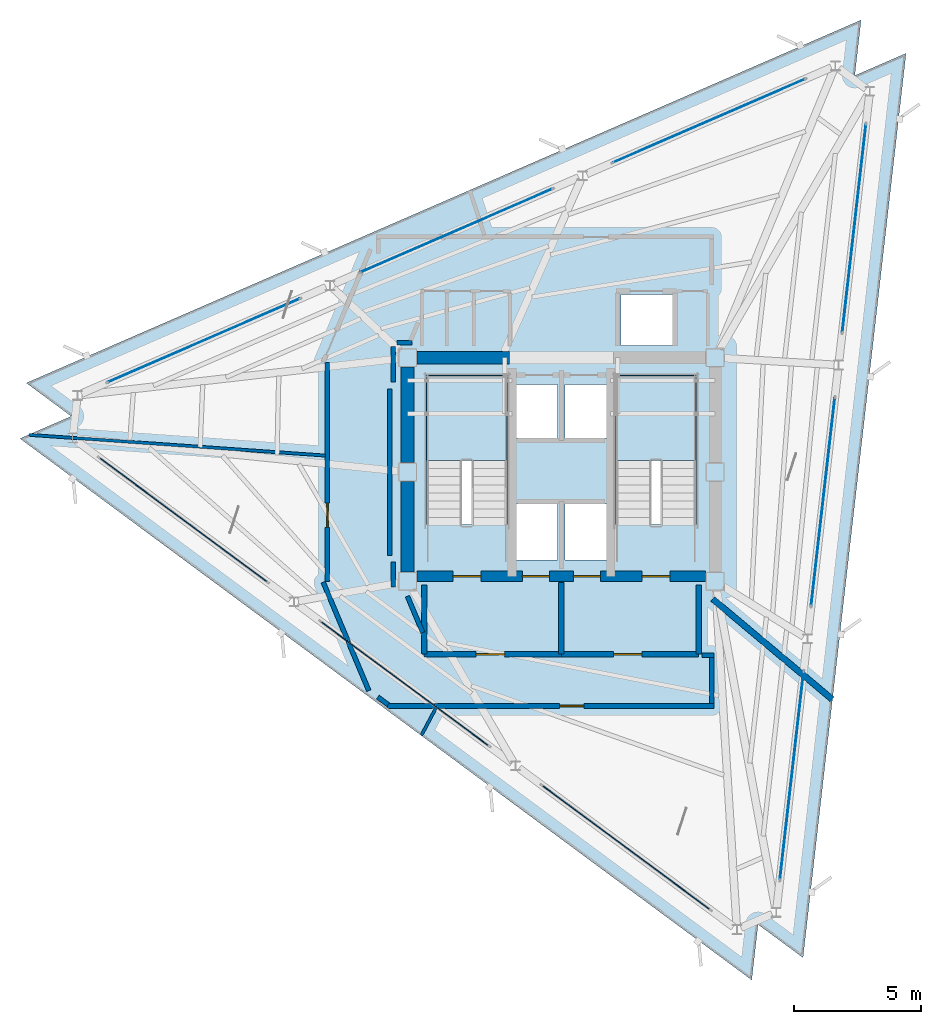
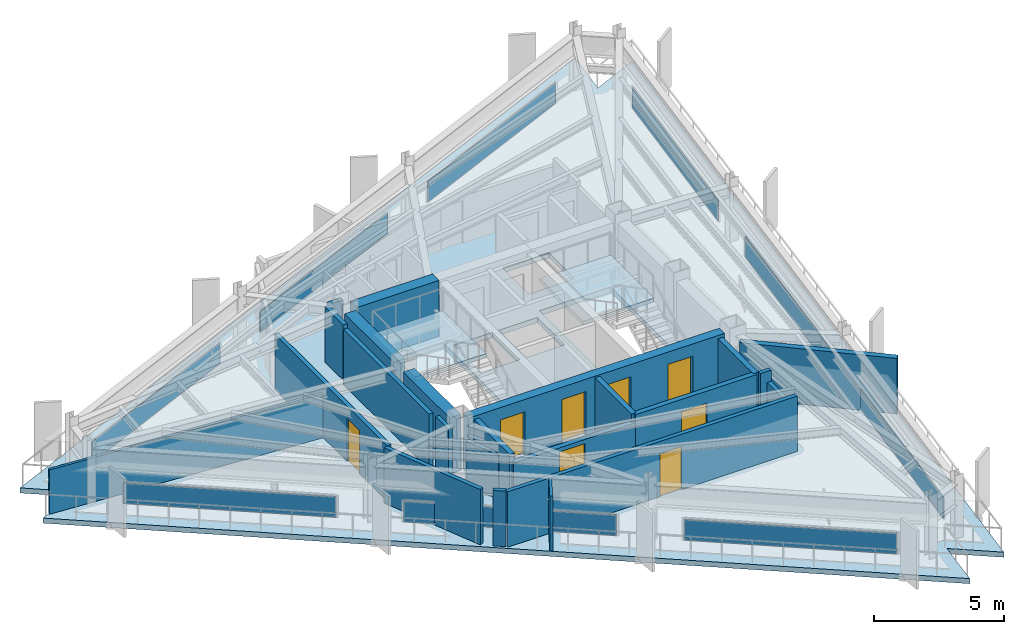
# One storey, part 5 of 9: 23 walls, 9 plates, 8 doors, 3 slabs, 8 openings, 11 elements without a shape of their own.
"""IFC4 building model written with IfcOpenShell, lengths in metres."""

from ifc_helpers import new_model, si_unit, direction, frame, frame_2d, origin, origin_2d, place, context, subcontext, project, spatial, polyline, rectangle, outline, extrude, material, layer, layer_set, type_object, element, fill, aggregate, save


model = new_model("IFC4")

# Units and contexts
model_context = context("Model", 3, precision=1e-05, world=origin(), true_north=direction((0.0, 1.0)))
body_context = subcontext(model_context, "Body", "Model", "MODEL_VIEW")
ifc_project = project(units=[si_unit("LENGTHUNIT", "METRE"), si_unit("AREAUNIT", "SQUARE_METRE"), si_unit("VOLUMEUNIT", "CUBIC_METRE"), si_unit("PLANEANGLEUNIT", "RADIAN"), si_unit("MASSUNIT", "GRAM", prefix="KILO")], contexts=[model_context])

# Site, building, storey
site_placement = place(None, origin())
site = spatial("IfcSite", under=ifc_project, at=site_placement, CompositionType="ELEMENT")
building_placement = place(site_placement, origin())
building = spatial("IfcBuilding", under=site, at=building_placement, Name="Rocaltana Carrier Exchange", CompositionType="ELEMENT")
storey_placement = place(building_placement, frame((0.0, 0.0, 236.159912109375)))
storey = spatial("IfcBuildingStorey", under=building, at=storey_placement, Name="L75", CompositionType="ELEMENT", Elevation=236.159912109375)

# Curtain wall, plate
ifc_material_1 = material(Name="Aluminium 6063-T6", Category="aluminium")
ifc_layer_1 = layer(ifc_material_1, 0.1201171875)
ifc_layer_set_1 = layer_set([ifc_layer_1], Name="Aluminium 6063-T6")
curtain_wall_type = type_object("IfcCurtainWallType", Name="High-Altitude Thermal Curtain Wall CW-05", PredefinedType="NOTDEFINED", material=ifc_layer_set_1)
curtain_wall_1_placement = place(storey_placement, origin())
curtain_wall_1 = element("IfcCurtainWall", 1, at=curtain_wall_1_placement, inside=storey, type_object=curtain_wall_type, Name="L75 CW-05 Run CW-L75-F1S1", PredefinedType="NOTDEFINED")
ifc_material_2 = material(Name="Tempered Laminated Glass", Category="glass")
ifc_layer_2 = layer(ifc_material_2, 0.035888671875)
ifc_layer_set_2 = layer_set([ifc_layer_2], Name="Tempered Laminated Glass")
plate_type = type_object("IfcPlateType", Name="CW-05 Stone-Insulated Vision Panel", PredefinedType="CURTAIN_PANEL", material=ifc_layer_set_2)
plate_1_placement = place(storey_placement, frame((9.061767578125, -11.935791015625, 0.06005859375), z_axis=(0.0, 0.0, 1.0), x_axis=(0.113208822277, 0.993571216652, 0.0)))
plate_1 = element("IfcPlate", 2, at=plate_1_placement, type_object=plate_type, Name="CW-05 panel 1.1", PredefinedType="CURTAIN_PANEL", context=body_context, shape_type="SweptSolid", body=[
    extrude(rectangle(XDim=8.21337890625, YDim=0.035888671875, at=origin_2d()), origin(), (0.0, 0.0, 1.0), 0.9580078125),
])
aggregate(curtain_wall_1, [plate_1])

curtain_wall_2_placement = place(storey_placement, origin())
curtain_wall_2 = element("IfcCurtainWall", 3, at=curtain_wall_2_placement, inside=storey, type_object=curtain_wall_type, Name="L75 CW-05 Run CW-L75-F1S2", PredefinedType="NOTDEFINED")
plate_2_placement = place(storey_placement, frame((10.2880859375, -1.172119140625, 0.06005859375), z_axis=(0.0, 0.0, 1.0), x_axis=(0.113208822277, 0.993571216652, 0.0)))
plate_2 = element("IfcPlate", 4, at=plate_2_placement, type_object=plate_type, Name="CW-05 panel 1.1", PredefinedType="CURTAIN_PANEL", context=body_context, shape_type="SweptSolid", body=[
    extrude(rectangle(XDim=8.21337890625, YDim=0.035888671875, at=origin_2d()), origin(), (0.0, 0.0, 1.0), 0.9580078125),
])
aggregate(curtain_wall_2, [plate_2])

curtain_wall_3_placement = place(storey_placement, origin())
curtain_wall_3 = element("IfcCurtainWall", 5, at=curtain_wall_3_placement, inside=storey, type_object=curtain_wall_type, Name="L75 CW-05 Run CW-L75-F1S3", PredefinedType="NOTDEFINED")
plate_3_placement = place(storey_placement, frame((11.5146484375, 9.591552734375, 0.06005859375), z_axis=(0.0, 0.0, 1.0), x_axis=(0.113196975964, 0.993572566365, 0.0)))
plate_3 = element("IfcPlate", 6, at=plate_3_placement, type_object=plate_type, Name="CW-05 panel 1.1", PredefinedType="CURTAIN_PANEL", context=body_context, shape_type="SweptSolid", body=[
    extrude(rectangle(XDim=8.21337890625, YDim=0.035888671875, at=origin_2d()), origin(), (0.0, 0.0, 1.0), 0.9580078125),
])
aggregate(curtain_wall_3, [plate_3])

curtain_wall_4_placement = place(storey_placement, origin())
curtain_wall_4 = element("IfcCurtainWall", 7, at=curtain_wall_4_placement, inside=storey, type_object=curtain_wall_type, Name="L75 CW-05 Run CW-L75-F2S1", PredefinedType="NOTDEFINED")
plate_4_placement = place(storey_placement, frame((5.805908203125, 13.815673828125, 0.06005859375), z_axis=(0.0, 0.0, 1.0), x_axis=(-0.917056701313, -0.39875682637, 0.0)))
plate_4 = element("IfcPlate", 8, at=plate_4_placement, type_object=plate_type, Name="CW-05 panel 1.1", PredefinedType="CURTAIN_PANEL", context=body_context, shape_type="SweptSolid", body=[
    extrude(rectangle(XDim=8.21337890625, YDim=0.035888671875, at=origin_2d()), origin(), (0.0, 0.0, 1.0), 0.9580078125),
])
aggregate(curtain_wall_4, [plate_4])

curtain_wall_5_placement = place(storey_placement, origin())
curtain_wall_5 = element("IfcCurtainWall", 9, at=curtain_wall_5_placement, inside=storey, type_object=curtain_wall_type, Name="L75 CW-05 Run CW-L75-F2S2", PredefinedType="NOTDEFINED")
plate_5_placement = place(storey_placement, frame((-4.12890625, 9.495849609375, 0.06005859375), z_axis=(0.0, 0.0, 1.0), x_axis=(-0.917058609352, -0.398752438254, 0.0)))
plate_5 = element("IfcPlate", 10, at=plate_5_placement, type_object=plate_type, Name="CW-05 panel 1.1", PredefinedType="CURTAIN_PANEL", context=body_context, shape_type="SweptSolid", body=[
    extrude(rectangle(XDim=8.21337890625, YDim=0.035888671875, at=origin_2d()), origin(), (0.0, 0.0, 1.0), 0.9580078125),
])
aggregate(curtain_wall_5, [plate_5])

curtain_wall_6_placement = place(storey_placement, origin())
curtain_wall_6 = element("IfcCurtainWall", 11, at=curtain_wall_6_placement, inside=storey, type_object=curtain_wall_type, Name="L75 CW-05 Run CW-L75-F2S3", PredefinedType="NOTDEFINED")
plate_6_placement = place(storey_placement, frame((-14.063720703125, 5.176025390625, 0.06005859375), z_axis=(0.0, 0.0, 1.0), x_axis=(-0.917056701313, -0.39875682637, 0.0)))
plate_6 = element("IfcPlate", 12, at=plate_6_placement, type_object=plate_type, Name="CW-05 panel 1.1", PredefinedType="CURTAIN_PANEL", context=body_context, shape_type="SweptSolid", body=[
    extrude(rectangle(XDim=8.21337890625, YDim=0.035888671875, at=origin_2d()), origin(), (0.0, 0.0, 1.0), 0.9580078125),
])
aggregate(curtain_wall_6, [plate_6])

curtain_wall_7_placement = place(storey_placement, origin())
curtain_wall_7 = element("IfcCurtainWall", 13, at=curtain_wall_7_placement, inside=storey, type_object=curtain_wall_type, Name="L75 CW-05 Run CW-L75-F3S1", PredefinedType="NOTDEFINED")
plate_7_placement = place(storey_placement, frame((-14.86767578125, -1.8798828125, 0.06005859375), z_axis=(0.0, 0.0, 1.0), x_axis=(0.803854063386, -0.594826566974, 0.0)))
plate_7 = element("IfcPlate", 14, at=plate_7_placement, type_object=plate_type, Name="CW-05 panel 1.1", PredefinedType="CURTAIN_PANEL", context=body_context, shape_type="SweptSolid", body=[
    extrude(rectangle(XDim=8.21337890625, YDim=0.035888671875, at=origin_2d()), origin(), (0.0, 0.0, 1.0), 0.9580078125),
])
aggregate(curtain_wall_7, [plate_7])

curtain_wall_8_placement = place(storey_placement, origin())
curtain_wall_8 = element("IfcCurtainWall", 15, at=curtain_wall_8_placement, inside=storey, type_object=curtain_wall_type, Name="L75 CW-05 Run CW-L75-F3S2", PredefinedType="NOTDEFINED")
plate_8_placement = place(storey_placement, frame((-6.1591796875, -8.32373046875, 0.06005859375), z_axis=(0.0, 0.0, 1.0), x_axis=(0.803858309141, -0.594820829179, 0.0)))
plate_8 = element("IfcPlate", 16, at=plate_8_placement, type_object=plate_type, Name="CW-05 panel 1.1", PredefinedType="CURTAIN_PANEL", context=body_context, shape_type="SweptSolid", body=[
    extrude(rectangle(XDim=8.21337890625, YDim=0.035888671875, at=origin_2d()), origin(), (0.0, 0.0, 1.0), 0.9580078125),
])
aggregate(curtain_wall_8, [plate_8])

curtain_wall_9_placement = place(storey_placement, origin())
curtain_wall_9 = element("IfcCurtainWall", 17, at=curtain_wall_9_placement, inside=storey, type_object=curtain_wall_type, Name="L75 CW-05 Run CW-L75-F3S3", PredefinedType="NOTDEFINED")
plate_9_placement = place(storey_placement, frame((2.54931640625, -14.767578125, 0.06005859375), z_axis=(0.0, 0.0, 1.0), x_axis=(0.803854063386, -0.594826566974, 0.0)))
plate_9 = element("IfcPlate", 18, at=plate_9_placement, type_object=plate_type, Name="CW-05 panel 1.1", PredefinedType="CURTAIN_PANEL", context=body_context, shape_type="SweptSolid", body=[
    extrude(rectangle(XDim=8.21337890625, YDim=0.035888671875, at=origin_2d()), origin(), (0.0, 0.0, 1.0), 0.9580078125),
])
aggregate(curtain_wall_9, [plate_9])

# Slab
ifc_material_3 = material(Name="Concrete C50/60", Category="concrete")
ifc_layer_3 = layer(ifc_material_3, 0.239990234375)
ifc_layer_set_3 = layer_set([ifc_layer_3], Name="Concrete C50/60")
slab_type_1 = type_object("IfcSlabType", Name="High-Zone Tower Slab 240", PredefinedType="FLOOR", material=ifc_layer_set_3)
slab_1_placement = place(storey_placement, frame((0.0, 0.0, -0.239990234375)))
element("IfcSlab", 19, at=slab_1_placement, inside=storey, type_object=slab_type_1, Name="L75 Structural Floor Slab", PredefinedType="FLOOR", context=body_context, shape_type="SweptSolid", body=[
    extrude(outline(polyline([(7.486328125, -19.975830078125), (7.7353515625, -17.7900390625), (9.50390625, -19.0986328125), (13.556396484375, 16.47119140625), (11.538818359375, 15.593994140625), (11.7880859375, 17.77978515625), (-21.042724609375, 3.504638671875), (-19.2744140625, 2.196044921875), (-21.291748046875, 1.31884765625), (7.486328125, -19.975830078125)]), holes=[polyline([(-5.300048828125, -2.06005859375), (-2.139892578125, -2.06005859375), (-2.139892578125, 3.800048828125), (-5.300048828125, 3.800048828125), (-5.300048828125, -2.06005859375)]), polyline([(2.139892578125, -2.06005859375), (5.300048828125, -2.06005859375), (5.300048828125, 3.800048828125), (2.139892578125, 3.800048828125), (2.139892578125, -2.06005859375)]), polyline([(-1.85009765625, -3.449951171875), (-0.14990234375, -3.449951171875), (-0.14990234375, -1.25), (-1.85009765625, -1.25), (-1.85009765625, -3.449951171875)]), polyline([(0.14990234375, -3.449951171875), (1.85009765625, -3.449951171875), (1.85009765625, -1.25), (0.14990234375, -1.25), (0.14990234375, -3.449951171875)]), polyline([(2.35009765625, 4.97998046875), (4.39990234375, 4.97998046875), (4.39990234375, 6.97998046875), (2.35009765625, 6.97998046875), (2.35009765625, 4.97998046875)]), polyline([(-1.85009765625, 1.35009765625), (-0.14990234375, 1.35009765625), (-0.14990234375, 3.449951171875), (-1.85009765625, 3.449951171875), (-1.85009765625, 1.35009765625)]), polyline([(0.14990234375, 1.35009765625), (1.85009765625, 1.35009765625), (1.85009765625, 3.449951171875), (0.14990234375, 3.449951171875), (0.14990234375, 1.35009765625)])]), origin(), (0.0, 0.0, 1.0), 0.239990234375),
])

# Stair, slab
ifc_material_4 = material(Name="Precast concrete C45/55", Category="concrete")
stair_type = type_object("IfcStairType", Name="Standard Dog-Leg Stair 160", PredefinedType="HALF_TURN_STAIR", material=ifc_material_4)
stair_1_placement = place(storey_placement, origin())
stair_1 = element("IfcStair", 20, at=stair_1_placement, inside=storey, type_object=stair_type, Name="L75 Core West Exit Stair ST-1", PredefinedType="HALF_TURN_STAIR")
ifc_material_5 = material(Name="Precast concrete C45/55", Category="concrete")
ifc_layer_4 = layer(ifc_material_5, 0.199951171875)
ifc_layer_set_4 = layer_set([ifc_layer_4], Name="Precast concrete C45/55")
slab_type_2 = type_object("IfcSlabType", Name="Precast Stair Half-Landing 200", PredefinedType="LANDING", material=ifc_layer_set_4)
slab_2_placement = place(storey_placement, frame((0.0, 0.0, 1.320068359375)))
slab_2 = element("IfcSlab", 21, at=slab_2_placement, type_object=slab_type_2, Name="ST-1 landing 1", PredefinedType="LANDING", context=body_context, shape_type="SweptSolid", body=[
    extrude(outline(polyline([(-2.139892578125, 0.4599609375), (-2.139892578125, 3.800048828125), (-5.300048828125, 3.800048828125), (-5.300048828125, 0.4599609375), (-2.139892578125, 0.4599609375)])), origin(), (0.0, 0.0, 1.0), 0.199951171875),
])
aggregate(stair_1, [slab_2])

stair_2_placement = place(storey_placement, origin())
stair_2 = element("IfcStair", 22, at=stair_2_placement, inside=storey, type_object=stair_type, Name="L75 Core East Exit Stair ST-2", PredefinedType="HALF_TURN_STAIR")
slab_3_placement = place(storey_placement, frame((0.0, 0.0, 1.320068359375)))
slab_3 = element("IfcSlab", 23, at=slab_3_placement, type_object=slab_type_2, Name="ST-2 landing 1", PredefinedType="LANDING", context=body_context, shape_type="SweptSolid", body=[
    extrude(outline(polyline([(5.300048828125, 0.4599609375), (5.300048828125, 3.800048828125), (2.139892578125, 3.800048828125), (2.139892578125, 0.4599609375), (5.300048828125, 0.4599609375)])), origin(), (0.0, 0.0, 1.0), 0.199951171875),
])
aggregate(stair_2, [slab_3])

# Wall, openings, doors
ifc_material_6 = material(Name="Concrete C50/60", Category="concrete")
ifc_layer_5 = layer(ifc_material_6, 0.39990234375)
ifc_layer_set_5 = layer_set([ifc_layer_5], Name="Concrete C50/60")
wall_type_1 = type_object("IfcWallType", Name="Core Internal Shear Wall 400", PredefinedType="SHEAR", material=ifc_layer_set_5)
wall_1_placement = place(storey_placement, frame((-5.675048828125, -4.10009765625, 0.0), z_axis=(0.0, 0.0, 1.0), x_axis=(1.0, 0.0, 0.0)))
wall_1 = element("IfcWall", 24, at=wall_1_placement, inside=storey, type_object=wall_type_1, Name="L75 Core Shear Wall CW-S", PredefinedType="SHEAR", context=body_context, shape_type="SweptSolid", body=[
    extrude(rectangle(XDim=11.35009765625, YDim=0.39990234375, at=frame_2d((5.675048828125, 0.0))), origin(), (0.0, 0.0, 1.0), 2.6181640625),
])
opening_1_placement = place(wall_1_placement, frame((1.405029296875, 0.0, 0.0)))
opening_1 = element("IfcOpeningElement", 25, at=opening_1_placement, cuts=wall_1, Name="Opening D-ST110", PredefinedType="OPENING", context=body_context, shape_type="SweptSolid", body=[
    extrude(rectangle(XDim=1.10009765625, YDim=2.0400390625, at=frame_2d((0.550048828125, 1.02001953125))), frame((0.0, 0.2099609375, 0.0), z_axis=(0.0, -1.0, 0.0), x_axis=(1.0, 0.0, 0.0)), (0.0, 0.0, 1.0), 0.419921875),
])
opening_2_placement = place(wall_1_placement, frame((8.844970703125, 0.0, 0.0)))
opening_2 = element("IfcOpeningElement", 26, at=opening_2_placement, cuts=wall_1, Name="Opening D-ST110", PredefinedType="OPENING", context=body_context, shape_type="SweptSolid", body=[
    extrude(rectangle(XDim=1.10009765625, YDim=2.0400390625, at=frame_2d((0.550048828125, 1.02001953125))), frame((0.0, 0.2099609375, 0.0), z_axis=(0.0, -1.0, 0.0), x_axis=(1.0, 0.0, 0.0)), (0.0, 0.0, 1.0), 0.419921875),
])
opening_3_placement = place(wall_1_placement, frame((4.14501953125, 0.0, 0.0)))
opening_3 = element("IfcOpeningElement", 27, at=opening_3_placement, cuts=wall_1, Name="Opening LD-110", PredefinedType="OPENING", context=body_context, shape_type="SweptSolid", body=[
    extrude(rectangle(XDim=1.06005859375, YDim=2.0400390625, at=frame_2d((0.530029296875, 1.02001953125))), frame((0.0, 0.2099609375, 0.0), z_axis=(0.0, -1.0, 0.0), x_axis=(1.0, 0.0, 0.0)), (0.0, 0.0, 1.0), 0.419921875),
])
opening_4_placement = place(wall_1_placement, frame((6.14501953125, 0.0, 0.0)))
opening_4 = element("IfcOpeningElement", 28, at=opening_4_placement, cuts=wall_1, Name="Opening LD-110", PredefinedType="OPENING", context=body_context, shape_type="SweptSolid", body=[
    extrude(rectangle(XDim=1.06005859375, YDim=2.0400390625, at=frame_2d((0.530029296875, 1.02001953125))), frame((0.0, 0.2099609375, 0.0), z_axis=(0.0, -1.0, 0.0), x_axis=(1.0, 0.0, 0.0)), (0.0, 0.0, 1.0), 0.419921875),
])
ifc_material_7 = material(Name="Hollow Metal Fire Door Assembly", Category="steel")
door_type_1 = type_object("IfcDoorType", Name="Exit Stair Fire Door 1100x2040 FD90S", OperationType="NOTDEFINED", PredefinedType="DOOR", material=ifc_material_7)
door_1_placement = place(opening_1_placement, origin())
door_1 = element("IfcDoor", 29, at=door_1_placement, inside=storey, type_object=door_type_1, Name="L75 Exit Stair ST1 Fire Door", OperationType="SINGLE_SWING_LEFT", OverallHeight=2.0400390625, OverallWidth=1.10009765625, PredefinedType="DOOR", context=body_context, shape_type="SweptSolid", body=[
    extrude(rectangle(XDim=1.10009765625, YDim=2.0400390625, at=frame_2d((0.550048828125, 1.02001953125))), frame((0.0, 0.02490234375, 0.0), z_axis=(0.0, -1.0, 0.0), x_axis=(1.0, 0.0, 0.0)), (0.0, 0.0, 1.0), 0.050048828125),
])
fill(opening_1, door_1)
door_2_placement = place(opening_2_placement, origin())
door_2 = element("IfcDoor", 30, at=door_2_placement, inside=storey, type_object=door_type_1, Name="L75 Exit Stair ST2 Fire Door", OperationType="SINGLE_SWING_RIGHT", OverallHeight=2.0400390625, OverallWidth=1.10009765625, PredefinedType="DOOR", context=body_context, shape_type="SweptSolid", body=[
    extrude(rectangle(XDim=1.10009765625, YDim=2.0400390625, at=frame_2d((0.550048828125, 1.02001953125))), frame((0.0, 0.02490234375, 0.0), z_axis=(0.0, -1.0, 0.0), x_axis=(1.0, 0.0, 0.0)), (0.0, 0.0, 1.0), 0.050048828125),
])
fill(opening_2, door_2)
ifc_material_8 = material(Name="Brushed Stainless Sliding Door Leaf", Category="steel")
door_type_2 = type_object("IfcDoorType", Name="Lift Landing Sliding Door 1060x2040", OperationType="NOTDEFINED", PredefinedType="DOOR", material=ifc_material_8)
door_3_placement = place(opening_3_placement, origin())
door_3 = element("IfcDoor", 31, at=door_3_placement, inside=storey, type_object=door_type_2, Name="L75 Firefighting Lift FFL1 Landing Door", OperationType="SLIDING_TO_LEFT", OverallHeight=2.0400390625, OverallWidth=1.06005859375, PredefinedType="DOOR", context=body_context, shape_type="SweptSolid", body=[
    extrude(rectangle(XDim=1.06005859375, YDim=2.0400390625, at=frame_2d((0.530029296875, 1.02001953125))), frame((0.0, 0.02490234375, 0.0), z_axis=(0.0, -1.0, 0.0), x_axis=(1.0, 0.0, 0.0)), (0.0, 0.0, 1.0), 0.050048828125),
])
fill(opening_3, door_3)
door_4_placement = place(opening_4_placement, origin())
door_4 = element("IfcDoor", 32, at=door_4_placement, inside=storey, type_object=door_type_2, Name="L75 Firefighting Lift FFL2 Landing Door", OperationType="SLIDING_TO_RIGHT", OverallHeight=2.0400390625, OverallWidth=1.06005859375, PredefinedType="DOOR", context=body_context, shape_type="SweptSolid", body=[
    extrude(rectangle(XDim=1.06005859375, YDim=2.0400390625, at=frame_2d((0.530029296875, 1.02001953125))), frame((0.0, 0.02490234375, 0.0), z_axis=(0.0, -1.0, 0.0), x_axis=(1.0, 0.0, 0.0)), (0.0, 0.0, 1.0), 0.050048828125),
])
fill(opening_4, door_4)

# Walls
ifc_material_9 = material(Name="Concrete C50/60", Category="concrete")
ifc_layer_6 = layer(ifc_material_9, 0.5)
ifc_layer_set_6 = layer_set([ifc_layer_6], Name="Concrete C50/60")
wall_type_2 = type_object("IfcWallType", Name="Core Shear Wall 500", PredefinedType="SHEAR", material=ifc_layer_set_6)
wall_2_placement = place(storey_placement, frame((-6.050048828125, 0.375, 0.0), z_axis=(0.0, 0.0, 1.0), x_axis=(0.0, 1.0, 0.0)))
element("IfcWall", 33, at=wall_2_placement, inside=storey, type_object=wall_type_2, Name="L75 Core Shear Wall CW-WN", PredefinedType="SHEAR", context=body_context, shape_type="SweptSolid", body=[
    extrude(rectangle(XDim=3.75, YDim=0.5, at=frame_2d((1.875, 0.0))), origin(), (0.0, 0.0, 1.0), 2.6181640625),
])
wall_3_placement = place(storey_placement, frame((-6.050048828125, -3.925048828125, 0.0), z_axis=(0.0, 0.0, 1.0), x_axis=(0.0, 1.0, 0.0)))
element("IfcWall", 34, at=wall_3_placement, inside=storey, type_object=wall_type_2, Name="L75 Core Shear Wall CW-WS", PredefinedType="SHEAR", context=body_context, shape_type="SweptSolid", body=[
    extrude(rectangle(XDim=3.550048828125, YDim=0.5, at=frame_2d((1.77490234375, 0.0))), origin(), (0.0, 0.0, 1.0), 2.6181640625),
])
wall_4_placement = place(storey_placement, frame((-5.675048828125, 4.5, 0.0), z_axis=(0.0, 0.0, 1.0), x_axis=(1.0, 0.0, 0.0)))
element("IfcWall", 35, at=wall_4_placement, inside=storey, type_object=wall_type_2, Name="L75 Core Shear Wall CW-N1", PredefinedType="SHEAR", context=body_context, shape_type="SweptSolid", body=[
    extrude(rectangle(XDim=3.625, YDim=0.5, at=frame_2d((1.8125, 0.0))), origin(), (0.0, 0.0, 1.0), 2.6181640625),
])
ifc_material_10 = material(Name="Gypsum & Steel Stud Partition", Category="steel")
ifc_layer_7 = layer(ifc_material_10, 0.179931640625)
ifc_layer_set_7 = layer_set([ifc_layer_7], Name="Gypsum & Steel Stud Partition")
wall_type_3 = type_object("IfcWallType", Name="Corridor Fire Partition 180 EI60", PredefinedType="PARTITIONING", material=ifc_layer_set_7)
wall_5_placement = place(storey_placement, frame((-7.573974609375, -8.595703125, 0.0), z_axis=(0.0, 0.0, 1.0), x_axis=(-0.38757793583, 0.921836939842, 0.0)))
element("IfcWall", 36, at=wall_5_placement, inside=storey, type_object=wall_type_3, Name="L75 Corridor Partition 1", PredefinedType="PARTITIONING", context=body_context, shape_type="SweptSolid", body=[
    extrude(rectangle(XDim=4.62548828125, YDim=0.179931640625, at=frame_2d((2.312744140625, 0.0))), origin(), (0.0, 0.0, 1.0), 2.593017578125),
])

# Wall, opening, door
wall_6_placement = place(storey_placement, frame((-9.199951171875, -4.303466796875, 0.0), z_axis=(0.0, 0.0, 1.0), x_axis=(0.0, 1.0, 0.0)))
wall_6 = element("IfcWall", 37, at=wall_6_placement, inside=storey, type_object=wall_type_3, Name="L75 Corridor Partition 2", PredefinedType="PARTITIONING", context=body_context, shape_type="SweptSolid", body=[
    extrude(rectangle(XDim=8.60693359375, YDim=0.179931640625, at=frame_2d((4.303466796875, 0.0))), origin(), (0.0, 0.0, 1.0), 2.593017578125),
])
opening_5_placement = place(wall_6_placement, frame((2.126220703125, 0.0, 0.0)))
opening_5 = element("IfcOpeningElement", 38, at=opening_5_placement, cuts=wall_6, Name="Opening D-RM098", PredefinedType="OPENING", context=body_context, shape_type="SweptSolid", body=[
    extrude(rectangle(XDim=0.9599609375, YDim=2.02001953125, at=frame_2d((0.47998046875, 1.010009765625))), frame((0.0, 0.099853515625, 0.0), z_axis=(0.0, -1.0, 0.0), x_axis=(1.0, 0.0, 0.0)), (0.0, 0.0, 1.0), 0.199951171875),
])
ifc_material_11 = material(Name="Engineered Hardwood Timber", Category="wood")
door_type_3 = type_object("IfcDoorType", Name="Workspace Single Door 960x2020", OperationType="NOTDEFINED", PredefinedType="DOOR", material=ifc_material_11)
door_5_placement = place(opening_5_placement, origin())
door_5 = element("IfcDoor", 39, at=door_5_placement, inside=storey, type_object=door_type_3, Name="L75 Cloud Architecture Office Entrance Door", OperationType="SINGLE_SWING_LEFT", OverallHeight=2.02001953125, OverallWidth=0.9599609375, PredefinedType="DOOR", context=body_context, shape_type="SweptSolid", body=[
    extrude(rectangle(XDim=0.9599609375, YDim=2.02001953125, at=frame_2d((0.47998046875, 1.010009765625))), frame((0.0, 0.02490234375, 0.0), z_axis=(0.0, -1.0, 0.0), x_axis=(1.0, 0.0, 0.0)), (0.0, 0.0, 1.0), 0.050048828125),
])
fill(opening_5, door_5)

# Walls
wall_7_placement = place(storey_placement, frame((-5.88134765625, 5.080078125, 0.0), z_axis=(0.0, 0.0, 1.0), x_axis=(-1.0, 0.0, 0.0)))
element("IfcWall", 40, at=wall_7_placement, inside=storey, type_object=wall_type_3, Name="L75 Corridor Partition 9", PredefinedType="PARTITIONING", context=body_context, shape_type="SweptSolid", body=[
    extrude(rectangle(XDim=0.588623046875, YDim=0.179931640625, at=frame_2d((0.29443359375, 0.0))), origin(), (0.0, 0.0, 1.0), 2.593017578125),
])
wall_8_placement = place(storey_placement, frame((-6.610107421875, 4.93994140625, 0.0), z_axis=(0.0, 0.0, 1.0), x_axis=(0.0, -1.0, 0.0)))
element("IfcWall", 41, at=wall_8_placement, inside=storey, type_object=wall_type_3, Name="L75 Corridor Partition 10", PredefinedType="PARTITIONING", context=body_context, shape_type="SweptSolid", body=[
    extrude(rectangle(XDim=1.398681640625, YDim=0.179931640625, at=frame_2d((0.69921875, 0.0))), origin(), (0.0, 0.0, 1.0), 2.593017578125),
])
wall_9_placement = place(storey_placement, frame((-6.75, 3.2734375, 0.0), z_axis=(0.0, 0.0, 1.0), x_axis=(0.0, -1.0, 0.0)))
element("IfcWall", 42, at=wall_9_placement, inside=storey, type_object=wall_type_3, Name="L75 Corridor Partition 11", PredefinedType="PARTITIONING", context=body_context, shape_type="SweptSolid", body=[
    extrude(rectangle(XDim=6.546875, YDim=0.179931640625, at=frame_2d((3.2734375, 0.0))), origin(), (0.0, 0.0, 1.0), 2.593017578125),
])
wall_10_placement = place(storey_placement, frame((-6.610107421875, -3.541259765625, 0.0), z_axis=(0.0, 0.0, 1.0), x_axis=(0.0, -1.0, 0.0)))
element("IfcWall", 43, at=wall_10_placement, inside=storey, type_object=wall_type_3, Name="L75 Corridor Partition 12", PredefinedType="PARTITIONING", context=body_context, shape_type="SweptSolid", body=[
    extrude(rectangle(XDim=0.978759765625, YDim=0.179931640625, at=frame_2d((0.4892578125, 0.0))), origin(), (0.0, 0.0, 1.0), 2.593017578125),
])
wall_11_placement = place(storey_placement, frame((-6.0546875, -4.881591796875, 0.0), z_axis=(0.0, 0.0, 1.0), x_axis=(0.387579540458, -0.921836265189, 0.0)))
element("IfcWall", 44, at=wall_11_placement, inside=storey, type_object=wall_type_3, Name="L75 Corridor Partition 13", PredefinedType="PARTITIONING", context=body_context, shape_type="SweptSolid", body=[
    extrude(rectangle(XDim=1.5546875, YDim=0.179931640625, at=frame_2d((0.77734375, 0.0))), origin(), (0.0, 0.0, 1.0), 2.072998046875),
])
wall_12_placement = place(storey_placement, frame((5.530029296875, -7.199951171875, 0.0), z_axis=(0.0, 0.0, 1.0), x_axis=(1.0, 0.0, 0.0)))
element("IfcWall", 45, at=wall_12_placement, inside=storey, type_object=wall_type_3, Name="L75 Corridor Partition 14", PredefinedType="PARTITIONING", context=body_context, shape_type="SweptSolid", body=[
    extrude(rectangle(XDim=0.47998046875, YDim=0.179931640625, at=frame_2d((0.239990234375, 0.0))), origin(), (0.0, 0.0, 1.0), 2.593017578125),
])
wall_13_placement = place(storey_placement, frame((5.919921875, -7.2900390625, 0.0), z_axis=(0.0, 0.0, 1.0), x_axis=(0.0, -1.0, 0.0)))
element("IfcWall", 46, at=wall_13_placement, inside=storey, type_object=wall_type_3, Name="L75 Corridor Partition 15", PredefinedType="PARTITIONING", context=body_context, shape_type="SweptSolid", body=[
    extrude(rectangle(XDim=1.820068359375, YDim=0.179931640625, at=frame_2d((0.91015625, 0.0))), origin(), (0.0, 0.0, 1.0), 2.072998046875),
])

# Wall, opening, door
wall_14_placement = place(storey_placement, frame((6.010009765625, -9.199951171875, 0.0), z_axis=(0.0, 0.0, 1.0), x_axis=(-1.0, 0.0, 0.0)))
wall_14 = element("IfcWall", 47, at=wall_14_placement, inside=storey, type_object=wall_type_3, Name="L75 Corridor Partition 16", PredefinedType="PARTITIONING", context=body_context, shape_type="SweptSolid", body=[
    extrude(rectangle(XDim=12.840087890625, YDim=0.179931640625, at=frame_2d((6.419921875, 0.0))), origin(), (0.0, 0.0, 1.0), 2.593017578125),
])
opening_6_placement = place(wall_14_placement, frame((5.123779296875, 0.0, 0.0)))
opening_6 = element("IfcOpeningElement", 48, at=opening_6_placement, cuts=wall_14, Name="Opening D-RM098", PredefinedType="OPENING", context=body_context, shape_type="SweptSolid", body=[
    extrude(rectangle(XDim=0.9599609375, YDim=2.02001953125, at=frame_2d((0.47998046875, 1.010009765625))), frame((0.0, 0.099853515625, 0.0), z_axis=(0.0, -1.0, 0.0), x_axis=(1.0, 0.0, 0.0)), (0.0, 0.0, 1.0), 0.199951171875),
])
door_6_placement = place(opening_6_placement, origin())
door_6 = element("IfcDoor", 49, at=door_6_placement, inside=storey, type_object=door_type_3, Name="L75 Network Operations Office Entrance Door", OperationType="SINGLE_SWING_RIGHT", OverallHeight=2.02001953125, OverallWidth=0.9599609375, PredefinedType="DOOR", context=body_context, shape_type="SweptSolid", body=[
    extrude(rectangle(XDim=0.9599609375, YDim=2.02001953125, at=frame_2d((0.47998046875, 1.010009765625))), frame((0.0, 0.02490234375, 0.0), z_axis=(0.0, -1.0, 0.0), x_axis=(1.0, 0.0, 0.0)), (0.0, 0.0, 1.0), 0.050048828125),
])
fill(opening_6, door_6)

# Walls
wall_15_placement = place(storey_placement, frame((-6.8125, -9.146484375, 0.0), z_axis=(0.0, 0.0, 1.0), x_axis=(-0.803893055119, 0.594773869577, 0.0)))
element("IfcWall", 50, at=wall_15_placement, inside=storey, type_object=wall_type_3, Name="L75 Corridor Partition 17", PredefinedType="PARTITIONING", context=body_context, shape_type="SweptSolid", body=[
    extrude(rectangle(XDim=0.501953125, YDim=0.179931640625, at=frame_2d((0.2509765625, 0.0))), origin(), (0.0, 0.0, 1.0), 2.593017578125),
])
ifc_material_12 = material(Name="Aluminium 6063-T6 & Acoustic Glass", Category="aluminium")
ifc_layer_8 = layer(ifc_material_12, 0.114990234375)
ifc_layer_set_8 = layer_set([ifc_layer_8], Name="Aluminium 6063-T6 & Acoustic Glass")
wall_type_4 = type_object("IfcWallType", Name="Demountable Glazed Lab Partition 115", PredefinedType="MOVABLE", material=ifc_layer_set_8)
wall_16_placement = place(storey_placement, frame((-4.934326171875, -9.280029296875, 0.0), z_axis=(0.0, 0.0, 1.0), x_axis=(-0.469449445938, -0.88295935224, 0.0)))
element("IfcWall", 51, at=wall_16_placement, inside=storey, type_object=wall_type_4, Name="L75 Suite Divider Wall D1", PredefinedType="MOVABLE", context=body_context, shape_type="SweptSolid", body=[
    extrude(rectangle(XDim=1.21337890625, YDim=0.114990234375, at=frame_2d((0.606689453125, 0.0))), origin(), (0.0, 0.0, 1.0), 2.593017578125),
])
wall_17_placement = place(storey_placement, frame((-9.280029296875, 0.64892578125, 0.0), z_axis=(0.0, 0.0, 1.0), x_axis=(-0.997563579993, 0.069763198551, 0.0)))
element("IfcWall", 52, at=wall_17_placement, inside=storey, type_object=wall_type_4, Name="L75 Suite Divider Wall D4", PredefinedType="MOVABLE", context=body_context, shape_type="SweptSolid", body=[
    extrude(rectangle(XDim=11.681640625, YDim=0.114990234375, at=frame_2d((5.8408203125, 0.0))), origin(), (0.0, 0.0, 1.0), 2.072998046875),
])
ifc_material_13 = material(Name="Autoclaved Aerated Concrete C30/37", Category="concrete")
ifc_layer_9 = layer(ifc_material_13, 0.219970703125)
ifc_layer_set_9 = layer_set([ifc_layer_9], Name="Autoclaved Aerated Concrete C30/37")
wall_type_5 = type_object("IfcWallType", Name="Firefighting Lobby Wall 220 EI120", PredefinedType="PARTITIONING", material=ifc_layer_set_9)
for number, where, z_axis, x_axis, name in (
    (53, (-5.39990234375, -7.159912109375, 0.0), (0.0, 0.0, 1.0), (0.0, 1.0, 0.0), "L75 FFL Lobby 1 West Wall"),
    (54, (5.39990234375, -7.159912109375, 0.0), (0.0, 0.0, 1.0), (0.0, 1.0, 0.0), "L75 FFL Lobby 2 East Wall"),
):
    element("IfcWall", number, at=place(storey_placement, frame(where, z_axis=z_axis, x_axis=x_axis)), inside=storey, type_object=wall_type_5, Name=name, PredefinedType="PARTITIONING", context=body_context, shape_type="SweptSolid", body=[
        extrude(rectangle(XDim=2.7099609375, YDim=0.219970703125, at=frame_2d((1.35498046875, 0.0))), origin(), (0.0, 0.0, 1.0), 2.593017578125),
    ])
wall_18_placement = place(storey_placement, frame((0.0, -7.159912109375, 0.0), z_axis=(0.0, 0.0, 1.0), x_axis=(0.0, 1.0, 0.0)))
element("IfcWall", 55, at=wall_18_placement, inside=storey, type_object=wall_type_5, Name="L75 FFL Lobby Centre Wall", PredefinedType="PARTITIONING", context=body_context, shape_type="SweptSolid", body=[
    extrude(rectangle(XDim=2.809814453125, YDim=0.219970703125, at=frame_2d((1.40478515625, 0.0))), origin(), (0.0, 0.0, 1.0), 2.593017578125),
])

# Wall, opening, door
wall_19_placement = place(storey_placement, frame((-5.39990234375, -7.159912109375, 0.0), z_axis=(0.0, 0.0, 1.0), x_axis=(1.0, 0.0, 0.0)))
wall_19 = element("IfcWall", 56, at=wall_19_placement, inside=storey, type_object=wall_type_5, Name="L75 FFL Lobby 1 South Wall", PredefinedType="PARTITIONING", context=body_context, shape_type="SweptSolid", body=[
    extrude(rectangle(XDim=5.39990234375, YDim=0.219970703125, at=frame_2d((2.699951171875, 0.0))), origin(), (0.0, 0.0, 1.0), 2.215087890625),
])
opening_7_placement = place(wall_19_placement, frame((2.050048828125, 0.0, 0.0)))
opening_7 = element("IfcOpeningElement", 57, at=opening_7_placement, cuts=wall_19, Name="Opening D-FF115", PredefinedType="OPENING", context=body_context, shape_type="SweptSolid", body=[
    extrude(rectangle(XDim=1.1201171875, YDim=2.02001953125, at=frame_2d((0.56005859375, 1.010009765625))), frame((0.0, 0.119873046875, 0.0), z_axis=(0.0, -1.0, 0.0), x_axis=(1.0, 0.0, 0.0)), (0.0, 0.0, 1.0), 0.239990234375),
])
ifc_material_14 = material(Name="Hollow Metal Fire Door Assembly", Category="steel")
door_type_4 = type_object("IfcDoorType", Name="Firefighting Lobby Door 1120x2020 FD60S", OperationType="NOTDEFINED", PredefinedType="DOOR", material=ifc_material_14)
door_7_placement = place(opening_7_placement, origin())
door_7 = element("IfcDoor", 58, at=door_7_placement, inside=storey, type_object=door_type_4, Name="L75 Firefighting Lift Lobby 1 Door", OperationType="SINGLE_SWING_LEFT", OverallHeight=2.02001953125, OverallWidth=1.1201171875, PredefinedType="DOOR", context=body_context, shape_type="SweptSolid", body=[
    extrude(rectangle(XDim=1.1201171875, YDim=2.02001953125, at=frame_2d((0.56005859375, 1.010009765625))), frame((0.0, 0.02490234375, 0.0), z_axis=(0.0, -1.0, 0.0), x_axis=(1.0, 0.0, 0.0)), (0.0, 0.0, 1.0), 0.050048828125),
])
fill(opening_7, door_7)

wall_20_placement = place(storey_placement, frame((0.0, -7.159912109375, 0.0), z_axis=(0.0, 0.0, 1.0), x_axis=(1.0, 0.0, 0.0)))
wall_20 = element("IfcWall", 59, at=wall_20_placement, inside=storey, type_object=wall_type_5, Name="L75 FFL Lobby 2 South Wall", PredefinedType="PARTITIONING", context=body_context, shape_type="SweptSolid", body=[
    extrude(rectangle(XDim=5.39990234375, YDim=0.219970703125, at=frame_2d((2.699951171875, 0.0))), origin(), (0.0, 0.0, 1.0), 2.593017578125),
])
opening_8_placement = place(wall_20_placement, frame((2.050048828125, 0.0, 0.0)))
opening_8 = element("IfcOpeningElement", 60, at=opening_8_placement, cuts=wall_20, Name="Opening D-FF115", PredefinedType="OPENING", context=body_context, shape_type="SweptSolid", body=[
    extrude(rectangle(XDim=1.1201171875, YDim=2.02001953125, at=frame_2d((0.56005859375, 1.010009765625))), frame((0.0, 0.119873046875, 0.0), z_axis=(0.0, -1.0, 0.0), x_axis=(1.0, 0.0, 0.0)), (0.0, 0.0, 1.0), 0.239990234375),
])
door_8_placement = place(opening_8_placement, origin())
door_8 = element("IfcDoor", 61, at=door_8_placement, inside=storey, type_object=door_type_4, Name="L75 Firefighting Lift Lobby 2 Door", OperationType="SINGLE_SWING_RIGHT", OverallHeight=2.02001953125, OverallWidth=1.1201171875, PredefinedType="DOOR", context=body_context, shape_type="SweptSolid", body=[
    extrude(rectangle(XDim=1.1201171875, YDim=2.02001953125, at=frame_2d((0.56005859375, 1.010009765625))), frame((0.0, 0.02490234375, 0.0), z_axis=(0.0, -1.0, 0.0), x_axis=(1.0, 0.0, 0.0)), (0.0, 0.0, 1.0), 0.050048828125),
])
fill(opening_8, door_8)

# Wall
ifc_material_15 = material(Name="Acoustic Calcium Silicate Partition", Category="gypsum")
ifc_layer_10 = layer(ifc_material_15, 0.239990234375)
ifc_layer_set_10 = layer_set([ifc_layer_10], Name="Acoustic Calcium Silicate Partition")
wall_type_6 = type_object("IfcWallType", Name="Heavy Lab Partition 240 EI90", PredefinedType="PARTITIONING", material=ifc_layer_set_10)
wall_21_placement = place(storey_placement, frame((5.949951171875, -4.99267578125, 0.0), z_axis=(0.0, 0.0, 1.0), x_axis=(0.766055051894, -0.642774966428, 0.0)))
element("IfcWall", 62, at=wall_21_placement, inside=storey, type_object=wall_type_6, Name="L75 Suite Divider Wall D2", PredefinedType="PARTITIONING", context=body_context, shape_type="SweptSolid", body=[
    extrude(rectangle(XDim=6.13720703125, YDim=0.239990234375, at=frame_2d((3.068603515625, 0.0))), origin(), (0.0, 0.0, 1.0), 2.593017578125),
])

save(model, "model.ifc")
